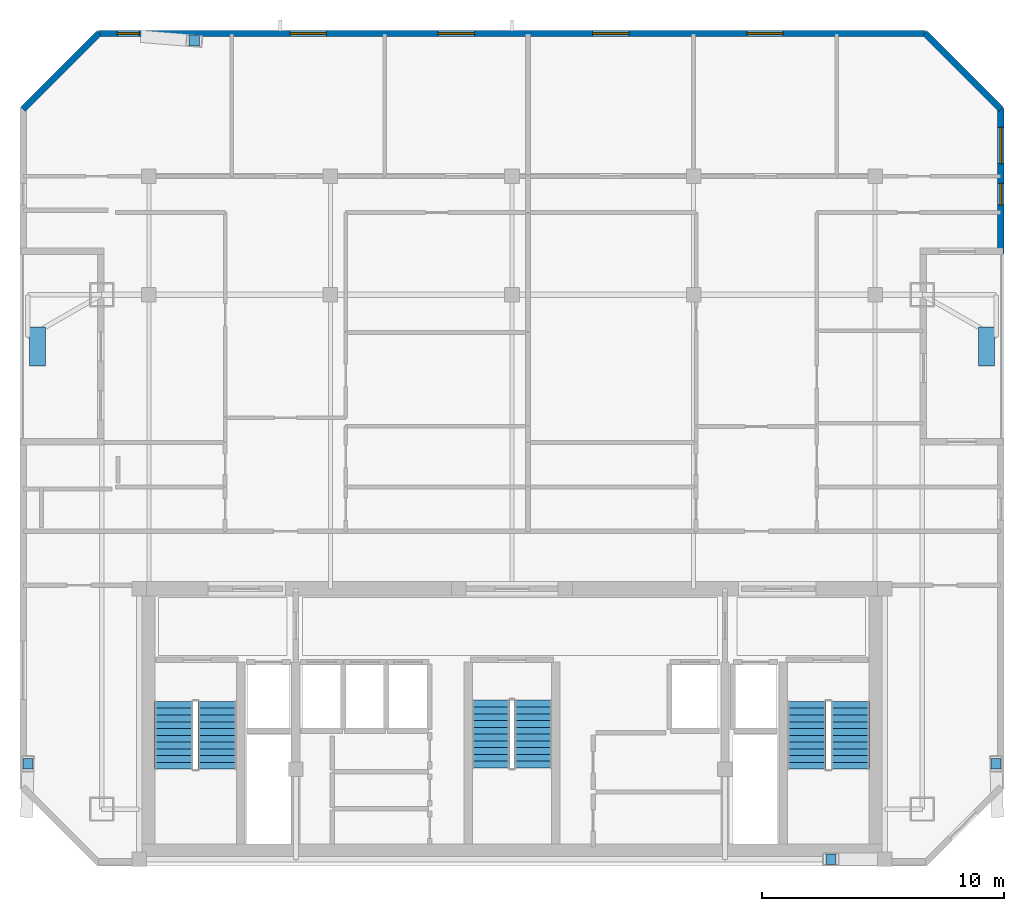
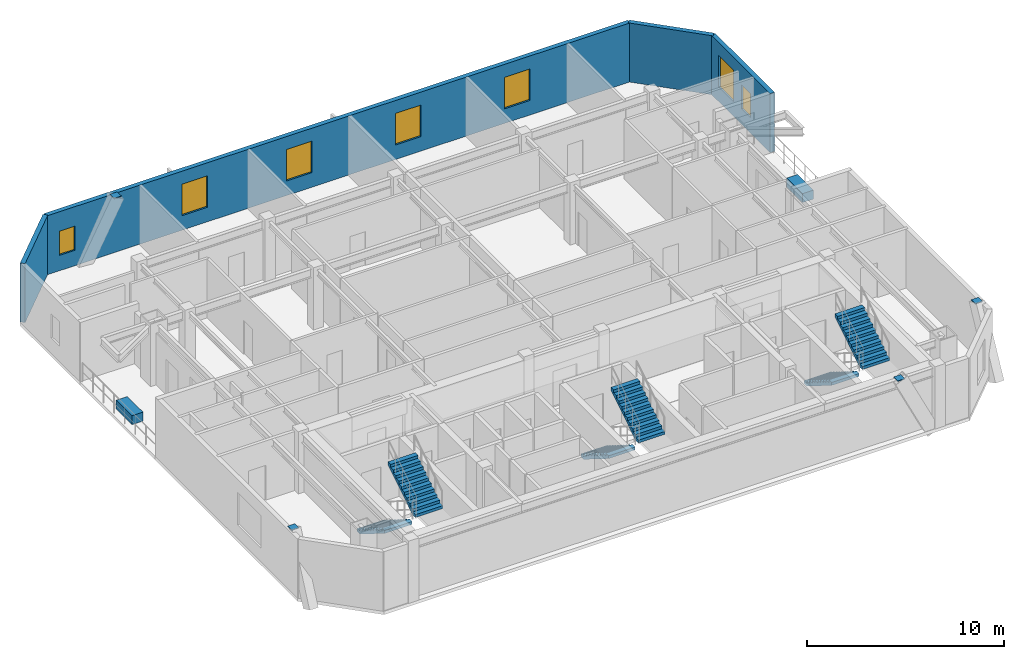
# One storey, part 6 of 8: 7 windows, 6 discrete accessories, 6 stair flights, 4 walls, 7 openings, 3 elements without a shape of their own.
"""IFC4 building model written with IfcOpenShell, lengths in metres."""

from ifc_helpers import new_model, si_unit, direction, frame, frame_2d, origin, origin_2d, place, context, subcontext, project, spatial, polyline, rectangle, outline, extrude, material, layer, layer_set, type_object, element, fill, aggregate, save


model = new_model("IFC4")

# Units and contexts
model_context = context("Model", 3, precision=1e-05, world=origin(), true_north=direction((0.0, 1.0)))
body_context = subcontext(model_context, "Body", "Model", "MODEL_VIEW")
ifc_project = project(units=[si_unit("LENGTHUNIT", "METRE"), si_unit("AREAUNIT", "SQUARE_METRE"), si_unit("VOLUMEUNIT", "CUBIC_METRE"), si_unit("PLANEANGLEUNIT", "RADIAN"), si_unit("MASSUNIT", "GRAM", prefix="KILO")], contexts=[model_context])

# Site, building, storey
site_placement = place(None, origin())
site = spatial("IfcSite", under=ifc_project, at=site_placement, CompositionType="ELEMENT")
building_placement = place(site_placement, origin())
building = spatial("IfcBuilding", under=site, at=building_placement, Name="Ventersveld Concourse Tower", CompositionType="ELEMENT")
storey_placement = place(building_placement, frame((0.0, 0.0, 284.89990234375)))
storey = spatial("IfcBuildingStorey", under=building, at=storey_placement, Name="L70", CompositionType="ELEMENT", Elevation=284.89990234375)

# Wall, openings, windows
ifc_material_1 = material(Name="Precast concrete C45/55", Category="concrete")
ifc_layer = layer(ifc_material_1, 0.260009765625)
ifc_layer_set = layer_set([ifc_layer], Name="Precast concrete C45/55")
wall_type = type_object("IfcWallType", Name="WL-PREC-260", PredefinedType="SOLIDWALL", material=ifc_layer_set)
wall_1_placement = place(storey_placement, frame((48.94580078125, 25.303466796875, 0.0), z_axis=(0.0, 0.0, 1.0), x_axis=(0.0, 1.0, 0.0)))
wall_1 = element("IfcWall", 1, at=wall_1_placement, inside=storey, type_object=wall_type, Name="L70 Highveld Precast Facade Wall E07", PredefinedType="SOLIDWALL", context=body_context, shape_type="SweptSolid", body=[
    extrude(rectangle(XDim=5.9833984375, YDim=0.260009765625, at=frame_2d((2.99169921875, 0.0))), origin(), (0.0, 0.0, 1.0), 3.650146484375),
])
opening_1_placement = place(wall_1_placement, frame((1.99658203125, 0.0, 0.949951171875)))
opening_1 = element("IfcOpeningElement", 2, at=opening_1_placement, cuts=wall_1, Name="Opening W4", PredefinedType="OPENING", context=body_context, shape_type="SweptSolid", body=[
    extrude(rectangle(XDim=0.89990234375, YDim=1.5, at=frame_2d((0.449951171875, 0.75))), frame((0.0, 0.14013671875, 0.0), z_axis=(0.0, -1.0, 0.0), x_axis=(1.0, 0.0, 0.0)), (0.0, 0.0, 1.0), 0.280029296875),
])
opening_2_placement = place(wall_1_placement, frame((3.71337890625, 0.0, 0.89990234375)))
opening_2 = element("IfcOpeningElement", 3, at=opening_2_placement, cuts=wall_1, Name="Opening W1", PredefinedType="OPENING", context=body_context, shape_type="SweptSolid", body=[
    extrude(rectangle(XDim=1.5, YDim=1.949951171875, at=frame_2d((0.75, 0.97509765625))), frame((0.0, 0.14013671875, 0.0), z_axis=(0.0, -1.0, 0.0), x_axis=(1.0, 0.0, 0.0)), (0.0, 0.0, 1.0), 0.280029296875),
])
ifc_material_2 = material(Name="Tempered acoustic Low-E IGU", Category="glass")
window_type_1 = type_object("IfcWindowType", Name="WIN-090x150", PartitioningType="SINGLE_PANEL", PredefinedType="WINDOW", material=ifc_material_2)
window_1_placement = place(opening_1_placement, origin())
window_1 = element("IfcWindow", 4, at=window_1_placement, inside=storey, type_object=window_type_1, Name="L70 Punched Low-E Window W-1002", OverallHeight=1.5, OverallWidth=0.89990234375, PartitioningType="SINGLE_PANEL", PredefinedType="WINDOW", context=body_context, shape_type="SweptSolid", body=[
    extrude(rectangle(XDim=0.89990234375, YDim=1.5, at=frame_2d((0.449951171875, 0.75))), frame((0.0, 0.030029296875, 0.0), z_axis=(0.0, -1.0, 0.0), x_axis=(1.0, 0.0, 0.0)), (0.0, 0.0, 1.0), 0.06005859375),
])
fill(opening_1, window_1)
window_type_2 = type_object("IfcWindowType", Name="WIN-150x210", PartitioningType="SINGLE_PANEL", PredefinedType="WINDOW", material=ifc_material_2)
window_2_placement = place(opening_2_placement, origin())
window_2 = element("IfcWindow", 5, at=window_2_placement, inside=storey, type_object=window_type_2, Name="L70 Punched Low-E Window W-1008", OverallHeight=1.949951171875, OverallWidth=1.5, PartitioningType="SINGLE_PANEL", PredefinedType="WINDOW", context=body_context, shape_type="SweptSolid", body=[
    extrude(rectangle(XDim=1.5, YDim=1.949951171875, at=frame_2d((0.75, 0.97509765625))), frame((0.0, 0.030029296875, 0.0), z_axis=(0.0, -1.0, 0.0), x_axis=(1.0, 0.0, 0.0)), (0.0, 0.0, 1.0), 0.06005859375),
])
fill(opening_2, window_2)

# Wall
wall_2_placement = place(storey_placement, frame((48.95556640625, 31.26318359375, 0.0), z_axis=(0.0, 0.0, 1.0), x_axis=(-0.707079321262, 0.707134240044, 0.0)))
element("IfcWall", 6, at=wall_2_placement, inside=storey, type_object=wall_type, Name="L70 Highveld Precast Facade Wall E08", PredefinedType="SOLIDWALL", context=body_context, shape_type="SweptSolid", body=[
    extrude(rectangle(XDim=4.445556640625, YDim=0.260009765625, at=frame_2d((2.22265625, 0.0))), origin(), (0.0, 0.0, 1.0), 3.650146484375),
])

# Wall, openings, windows
wall_3_placement = place(storey_placement, frame((45.835693359375, 34.39697265625, 0.0), z_axis=(0.0, 0.0, 1.0), x_axis=(-1.0, 0.0, 0.0)))
wall_3 = element("IfcWall", 7, at=wall_3_placement, inside=storey, type_object=wall_type, Name="L70 Highveld Precast Facade Wall E09", PredefinedType="SOLIDWALL", context=body_context, shape_type="SweptSolid", body=[
    extrude(rectangle(XDim=34.17138671875, YDim=0.260009765625, at=frame_2d((17.085693359375, 0.0))), origin(), (0.0, 0.0, 1.0), 3.650146484375),
])
opening_3_placement = place(wall_3_placement, frame((32.49169921875, 0.0, 0.949951171875)))
opening_3 = element("IfcOpeningElement", 8, at=opening_3_placement, cuts=wall_3, Name="Opening W4", PredefinedType="OPENING", context=body_context, shape_type="SweptSolid", body=[
    extrude(rectangle(XDim=0.89990234375, YDim=1.5, at=frame_2d((0.449951171875, 0.75))), frame((0.0, 0.14013671875, 0.0), z_axis=(0.0, -1.0, 0.0), x_axis=(1.0, 0.0, 0.0)), (0.0, 0.0, 1.0), 0.280029296875),
])
opening_4_placement = place(wall_3_placement, frame((24.7529296875, 0.0, 0.89990234375)))
opening_4 = element("IfcOpeningElement", 9, at=opening_4_placement, cuts=wall_3, Name="Opening W1", PredefinedType="OPENING", context=body_context, shape_type="SweptSolid", body=[
    extrude(rectangle(XDim=1.5, YDim=1.949951171875, at=frame_2d((0.75, 0.97509765625))), frame((0.0, 0.14013671875, 0.0), z_axis=(0.0, -1.0, 0.0), x_axis=(1.0, 0.0, 0.0)), (0.0, 0.0, 1.0), 0.280029296875),
])
opening_5_placement = place(wall_3_placement, frame((18.636962890625, 0.0, 0.89990234375)))
opening_5 = element("IfcOpeningElement", 10, at=opening_5_placement, cuts=wall_3, Name="Opening W1", PredefinedType="OPENING", context=body_context, shape_type="SweptSolid", body=[
    extrude(rectangle(XDim=1.5, YDim=1.949951171875, at=frame_2d((0.75, 0.97509765625))), frame((0.0, 0.14013671875, 0.0), z_axis=(0.0, -1.0, 0.0), x_axis=(1.0, 0.0, 0.0)), (0.0, 0.0, 1.0), 0.280029296875),
])
opening_6_placement = place(wall_3_placement, frame((12.258544921875, 0.0, 0.89990234375)))
opening_6 = element("IfcOpeningElement", 11, at=opening_6_placement, cuts=wall_3, Name="Opening W1", PredefinedType="OPENING", context=body_context, shape_type="SweptSolid", body=[
    extrude(rectangle(XDim=1.5, YDim=1.949951171875, at=frame_2d((0.75, 0.97509765625))), frame((0.0, 0.14013671875, 0.0), z_axis=(0.0, -1.0, 0.0), x_axis=(1.0, 0.0, 0.0)), (0.0, 0.0, 1.0), 0.280029296875),
])
opening_7_placement = place(wall_3_placement, frame((5.8798828125, 0.0, 0.89990234375)))
opening_7 = element("IfcOpeningElement", 12, at=opening_7_placement, cuts=wall_3, Name="Opening W1", PredefinedType="OPENING", context=body_context, shape_type="SweptSolid", body=[
    extrude(rectangle(XDim=1.5, YDim=1.949951171875, at=frame_2d((0.75, 0.97509765625))), frame((0.0, 0.14013671875, 0.0), z_axis=(0.0, -1.0, 0.0), x_axis=(1.0, 0.0, 0.0)), (0.0, 0.0, 1.0), 0.280029296875),
])
window_3_placement = place(opening_3_placement, origin())
window_3 = element("IfcWindow", 13, at=window_3_placement, inside=storey, type_object=window_type_1, Name="L70 Punched Low-E Window W-0999", OverallHeight=1.5, OverallWidth=0.89990234375, PartitioningType="SINGLE_PANEL", PredefinedType="WINDOW", context=body_context, shape_type="SweptSolid", body=[
    extrude(rectangle(XDim=0.89990234375, YDim=1.5, at=frame_2d((0.449951171875, 0.75))), frame((0.0, 0.030029296875, 0.0), z_axis=(0.0, -1.0, 0.0), x_axis=(1.0, 0.0, 0.0)), (0.0, 0.0, 1.0), 0.06005859375),
])
fill(opening_3, window_3)
window_4_placement = place(opening_4_placement, origin())
window_4 = element("IfcWindow", 14, at=window_4_placement, inside=storey, type_object=window_type_2, Name="L70 Punched Low-E Window W-1000", OverallHeight=1.949951171875, OverallWidth=1.5, PartitioningType="SINGLE_PANEL", PredefinedType="WINDOW", context=body_context, shape_type="SweptSolid", body=[
    extrude(rectangle(XDim=1.5, YDim=1.949951171875, at=frame_2d((0.75, 0.97509765625))), frame((0.0, 0.030029296875, 0.0), z_axis=(0.0, -1.0, 0.0), x_axis=(1.0, 0.0, 0.0)), (0.0, 0.0, 1.0), 0.06005859375),
])
fill(opening_4, window_4)
window_5_placement = place(opening_5_placement, origin())
window_5 = element("IfcWindow", 15, at=window_5_placement, inside=storey, type_object=window_type_2, Name="L70 Punched Low-E Window W-1001", OverallHeight=1.949951171875, OverallWidth=1.5, PartitioningType="SINGLE_PANEL", PredefinedType="WINDOW", context=body_context, shape_type="SweptSolid", body=[
    extrude(rectangle(XDim=1.5, YDim=1.949951171875, at=frame_2d((0.75, 0.97509765625))), frame((0.0, 0.030029296875, 0.0), z_axis=(0.0, -1.0, 0.0), x_axis=(1.0, 0.0, 0.0)), (0.0, 0.0, 1.0), 0.06005859375),
])
fill(opening_5, window_5)
window_6_placement = place(opening_6_placement, origin())
window_6 = element("IfcWindow", 16, at=window_6_placement, inside=storey, type_object=window_type_2, Name="L70 Punched Low-E Window W-1006", OverallHeight=1.949951171875, OverallWidth=1.5, PartitioningType="SINGLE_PANEL", PredefinedType="WINDOW", context=body_context, shape_type="SweptSolid", body=[
    extrude(rectangle(XDim=1.5, YDim=1.949951171875, at=frame_2d((0.75, 0.97509765625))), frame((0.0, 0.030029296875, 0.0), z_axis=(0.0, -1.0, 0.0), x_axis=(1.0, 0.0, 0.0)), (0.0, 0.0, 1.0), 0.06005859375),
])
fill(opening_6, window_6)
window_7_placement = place(opening_7_placement, origin())
window_7 = element("IfcWindow", 17, at=window_7_placement, inside=storey, type_object=window_type_2, Name="L70 Punched Low-E Window W-1007", OverallHeight=1.949951171875, OverallWidth=1.5, PartitioningType="SINGLE_PANEL", PredefinedType="WINDOW", context=body_context, shape_type="SweptSolid", body=[
    extrude(rectangle(XDim=1.5, YDim=1.949951171875, at=frame_2d((0.75, 0.97509765625))), frame((0.0, 0.030029296875, 0.0), z_axis=(0.0, -1.0, 0.0), x_axis=(1.0, 0.0, 0.0)), (0.0, 0.0, 1.0), 0.06005859375),
])
fill(opening_7, window_7)

# Wall
wall_4_placement = place(storey_placement, frame((11.687744140625, 34.40673828125, 0.0), z_axis=(0.0, 0.0, 1.0), x_axis=(-0.707079321262, -0.707134240044, 0.0)))
element("IfcWall", 18, at=wall_4_placement, inside=storey, type_object=wall_type, Name="L70 Highveld Precast Facade Wall E10", PredefinedType="SOLIDWALL", context=body_context, shape_type="SweptSolid", body=[
    extrude(rectangle(XDim=4.445556640625, YDim=0.260009765625, at=frame_2d((2.22265625, 0.0))), origin(), (0.0, 0.0, 1.0), 3.650146484375),
])

# Stair, stair flights
ifc_material_3 = material(Name="Concrete C50/60", Category="concrete")
stair_type_1 = type_object("IfcStairType", Name="ST-DOG-155", PredefinedType="HALF_TURN_STAIR", material=ifc_material_3)
stair_1_placement = place(storey_placement, origin())
stair_1 = element("IfcStair", 19, at=stair_1_placement, inside=storey, type_object=stair_type_1, Name="L70 Protected Central Core Escape Stair ST-03", PredefinedType="HALF_TURN_STAIR")
stair_flight_type_1 = type_object("IfcStairFlightType", Name="STF-RC-155", PredefinedType="STRAIGHT", material=ifc_material_3)
stair_flight_1_placement = place(storey_placement, frame((27.875, 6.85009765625, 0.0), z_axis=(0.0, 0.0, 1.0), x_axis=(0.0, -1.0, 0.0)))
stair_flight_1 = element("IfcStairFlight", 20, at=stair_flight_1_placement, type_object=stair_flight_type_1, Name="ST-03 flight 1", NumberOfRisers=11, NumberOfTreads=10, PredefinedType="STRAIGHT", RiserHeight=0.175, TreadLength=0.28, context=body_context, shape_type="SweptSolid", body=[
    extrude(outline(polyline([(0.0, 0.0), (0.0, 0.175048828125), (0.280029296875, 0.175048828125), (0.280029296875, 0.35009765625), (0.56005859375, 0.35009765625), (0.56005859375, 0.52490234375), (0.840087890625, 0.52490234375), (0.840087890625, 0.699951171875), (1.1201171875, 0.699951171875), (1.1201171875, 0.875), (1.39990234375, 0.875), (1.39990234375, 1.050048828125), (1.679931640625, 1.050048828125), (1.679931640625, 1.22509765625), (1.9599609375, 1.22509765625), (1.9599609375, 1.39990234375), (2.239990234375, 1.39990234375), (2.239990234375, 1.574951171875), (2.52001953125, 1.574951171875), (2.52001953125, 1.75), (2.800048828125, 1.75), (2.800048828125, 1.925048828125), (2.800048828125, 1.5732421875), (0.28271484375, 0.0), (0.0, 0.0)])), frame((0.0, 0.77490234375, 0.0), z_axis=(0.0, -1.0, 0.0), x_axis=(1.0, 0.0, 0.0)), (0.0, 0.0, 1.0), 1.550048828125),
])
stair_flight_2_placement = place(storey_placement, frame((29.625, 4.050048828125, 1.925048828125), z_axis=(0.0, 0.0, 1.0), x_axis=(0.0, 1.0, 0.0)))
stair_flight_2 = element("IfcStairFlight", 21, at=stair_flight_2_placement, type_object=stair_flight_type_1, Name="ST-03 flight 2", NumberOfRisers=11, NumberOfTreads=10, PredefinedType="STRAIGHT", RiserHeight=0.175, TreadLength=0.28, context=body_context, shape_type="SweptSolid", body=[
    extrude(outline(polyline([(0.0, 0.0), (0.0, 0.175048828125), (0.280029296875, 0.175048828125), (0.280029296875, 0.35009765625), (0.56005859375, 0.35009765625), (0.56005859375, 0.52490234375), (0.840087890625, 0.52490234375), (0.840087890625, 0.699951171875), (1.1201171875, 0.699951171875), (1.1201171875, 0.875), (1.39990234375, 0.875), (1.39990234375, 1.050048828125), (1.679931640625, 1.050048828125), (1.679931640625, 1.22509765625), (1.9599609375, 1.22509765625), (1.9599609375, 1.39990234375), (2.239990234375, 1.39990234375), (2.239990234375, 1.574951171875), (2.52001953125, 1.574951171875), (2.52001953125, 1.75), (2.800048828125, 1.75), (2.800048828125, 1.925048828125), (2.800048828125, 1.5732421875), (0.28271484375, 0.0), (0.0, 0.0)])), frame((0.0, 0.77490234375, 0.0), z_axis=(0.0, -1.0, 0.0), x_axis=(1.0, 0.0, 0.0)), (0.0, 0.0, 1.0), 1.550048828125),
])
aggregate(stair_1, [stair_flight_1, stair_flight_2])

stair_type_2 = type_object("IfcStairType", Name="ST-DOG-160", PredefinedType="HALF_TURN_STAIR", material=ifc_material_3)
stair_2_placement = place(storey_placement, origin())
stair_2 = element("IfcStair", 22, at=stair_2_placement, inside=storey, type_object=stair_type_2, Name="L70 Protected Tower Escape Stair ST-01", PredefinedType="HALF_TURN_STAIR")
stair_flight_type_2 = type_object("IfcStairFlightType", Name="STF-RC-160", PredefinedType="STRAIGHT", material=ifc_material_3)
stair_flight_3_placement = place(storey_placement, frame((14.780029296875, 6.800048828125, 0.0), z_axis=(0.0, 0.0, 1.0), x_axis=(0.0, -1.0, 0.0)))
stair_flight_3 = element("IfcStairFlight", 23, at=stair_flight_3_placement, type_object=stair_flight_type_2, Name="ST-01 flight 1", NumberOfRisers=11, NumberOfTreads=10, PredefinedType="STRAIGHT", RiserHeight=0.175, TreadLength=0.28, context=body_context, shape_type="SweptSolid", body=[
    extrude(outline(polyline([(0.0, 0.0), (0.0, 0.175048828125), (0.280029296875, 0.175048828125), (0.280029296875, 0.35009765625), (0.56005859375, 0.35009765625), (0.56005859375, 0.52490234375), (0.840087890625, 0.52490234375), (0.840087890625, 0.699951171875), (1.1201171875, 0.699951171875), (1.1201171875, 0.875), (1.39990234375, 0.875), (1.39990234375, 1.050048828125), (1.679931640625, 1.050048828125), (1.679931640625, 1.22509765625), (1.9599609375, 1.22509765625), (1.9599609375, 1.39990234375), (2.239990234375, 1.39990234375), (2.239990234375, 1.574951171875), (2.52001953125, 1.574951171875), (2.52001953125, 1.75), (2.800048828125, 1.75), (2.800048828125, 1.925048828125), (2.800048828125, 1.5732421875), (0.28271484375, 0.0), (0.0, 0.0)])), frame((0.0, 0.800048828125, 0.0), z_axis=(0.0, -1.0, 0.0), x_axis=(1.0, 0.0, 0.0)), (0.0, 0.0, 1.0), 1.60009765625),
])
stair_flight_4_placement = place(storey_placement, frame((16.580078125, 4.0, 1.925048828125), z_axis=(0.0, 0.0, 1.0), x_axis=(0.0, 1.0, 0.0)))
stair_flight_4 = element("IfcStairFlight", 24, at=stair_flight_4_placement, type_object=stair_flight_type_2, Name="ST-01 flight 2", NumberOfRisers=11, NumberOfTreads=10, PredefinedType="STRAIGHT", RiserHeight=0.175, TreadLength=0.28, context=body_context, shape_type="SweptSolid", body=[
    extrude(outline(polyline([(0.0, 0.0), (0.0, 0.175048828125), (0.280029296875, 0.175048828125), (0.280029296875, 0.35009765625), (0.56005859375, 0.35009765625), (0.56005859375, 0.52490234375), (0.840087890625, 0.52490234375), (0.840087890625, 0.699951171875), (1.1201171875, 0.699951171875), (1.1201171875, 0.875), (1.39990234375, 0.875), (1.39990234375, 1.050048828125), (1.679931640625, 1.050048828125), (1.679931640625, 1.22509765625), (1.9599609375, 1.22509765625), (1.9599609375, 1.39990234375), (2.239990234375, 1.39990234375), (2.239990234375, 1.574951171875), (2.52001953125, 1.574951171875), (2.52001953125, 1.75), (2.800048828125, 1.75), (2.800048828125, 1.925048828125), (2.800048828125, 1.5732421875), (0.28271484375, 0.0), (0.0, 0.0)])), frame((0.0, 0.800048828125, 0.0), z_axis=(0.0, -1.0, 0.0), x_axis=(1.0, 0.0, 0.0)), (0.0, 0.0, 1.0), 1.60009765625),
])
aggregate(stair_2, [stair_flight_3, stair_flight_4])

stair_3_placement = place(storey_placement, origin())
stair_3 = element("IfcStair", 25, at=stair_3_placement, inside=storey, type_object=stair_type_2, Name="L70 Protected Tower Escape Stair ST-02", PredefinedType="HALF_TURN_STAIR")
stair_flight_5_placement = place(storey_placement, frame((40.919921875, 6.800048828125, 0.0), z_axis=(0.0, 0.0, 1.0), x_axis=(0.0, -1.0, 0.0)))
stair_flight_5 = element("IfcStairFlight", 26, at=stair_flight_5_placement, type_object=stair_flight_type_2, Name="ST-02 flight 1", NumberOfRisers=11, NumberOfTreads=10, PredefinedType="STRAIGHT", RiserHeight=0.175, TreadLength=0.28, context=body_context, shape_type="SweptSolid", body=[
    extrude(outline(polyline([(0.0, 0.0), (0.0, 0.175048828125), (0.280029296875, 0.175048828125), (0.280029296875, 0.35009765625), (0.56005859375, 0.35009765625), (0.56005859375, 0.52490234375), (0.840087890625, 0.52490234375), (0.840087890625, 0.699951171875), (1.1201171875, 0.699951171875), (1.1201171875, 0.875), (1.39990234375, 0.875), (1.39990234375, 1.050048828125), (1.679931640625, 1.050048828125), (1.679931640625, 1.22509765625), (1.9599609375, 1.22509765625), (1.9599609375, 1.39990234375), (2.239990234375, 1.39990234375), (2.239990234375, 1.574951171875), (2.52001953125, 1.574951171875), (2.52001953125, 1.75), (2.800048828125, 1.75), (2.800048828125, 1.925048828125), (2.800048828125, 1.5732421875), (0.28271484375, 0.0), (0.0, 0.0)])), frame((0.0, 0.800048828125, 0.0), z_axis=(0.0, -1.0, 0.0), x_axis=(1.0, 0.0, 0.0)), (0.0, 0.0, 1.0), 1.60009765625),
])
stair_flight_6_placement = place(storey_placement, frame((42.719970703125, 4.0, 1.925048828125), z_axis=(0.0, 0.0, 1.0), x_axis=(0.0, 1.0, 0.0)))
stair_flight_6 = element("IfcStairFlight", 27, at=stair_flight_6_placement, type_object=stair_flight_type_2, Name="ST-02 flight 2", NumberOfRisers=11, NumberOfTreads=10, PredefinedType="STRAIGHT", RiserHeight=0.175, TreadLength=0.28, context=body_context, shape_type="SweptSolid", body=[
    extrude(outline(polyline([(0.0, 0.0), (0.0, 0.175048828125), (0.280029296875, 0.175048828125), (0.280029296875, 0.35009765625), (0.56005859375, 0.35009765625), (0.56005859375, 0.52490234375), (0.840087890625, 0.52490234375), (0.840087890625, 0.699951171875), (1.1201171875, 0.699951171875), (1.1201171875, 0.875), (1.39990234375, 0.875), (1.39990234375, 1.050048828125), (1.679931640625, 1.050048828125), (1.679931640625, 1.22509765625), (1.9599609375, 1.22509765625), (1.9599609375, 1.39990234375), (2.239990234375, 1.39990234375), (2.239990234375, 1.574951171875), (2.52001953125, 1.574951171875), (2.52001953125, 1.75), (2.800048828125, 1.75), (2.800048828125, 1.925048828125), (2.800048828125, 1.5732421875), (0.28271484375, 0.0), (0.0, 0.0)])), frame((0.0, 0.800048828125, 0.0), z_axis=(0.0, -1.0, 0.0), x_axis=(1.0, 0.0, 0.0)), (0.0, 0.0, 1.0), 1.60009765625),
])
aggregate(stair_3, [stair_flight_5, stair_flight_6])

# Discrete accessories
ifc_material_4 = material(Name="Structural steel S355J2", Category="steel")
discrete_accessory_type_1 = type_object("IfcDiscreteAccessoryType", Name="CONN-BRACE-ECP1", PredefinedType="BRACKET", material=ifc_material_4)
for number, where, z_axis, x_axis, name in (
    (28, (15.625, 34.0927734375, 3.630126953125), (0.0, 0.0, 1.0), (1.0, 0.0, 0.0), "L70 Steel Brace End Connection Plate ECP1-0468"),
    (29, (41.925048828125, 0.280029296875, 3.630126953125), (0.0, 0.0, 1.0), (1.0, 0.0, 0.0), "L70 Steel Brace End Connection Plate ECP1-0472"),
    (30, (8.757568359375, 4.22509765625, 3.630126953125), (0.0, 0.0, 1.0), (1.0, 0.0, 0.0), "L70 Steel Brace End Connection Plate ECP1-0476"),
    (31, (48.742431640625, 4.22509765625, 3.630126953125), (0.0, 0.0, 1.0), (1.0, 0.0, 0.0), "L70 Steel Brace End Connection Plate ECP1-0480"),
):
    element("IfcDiscreteAccessory", number, at=place(storey_placement, frame(where, z_axis=z_axis, x_axis=x_axis)), inside=storey, type_object=discrete_accessory_type_1, Name=name, PredefinedType="BRACKET", context=body_context, shape_type="SweptSolid", body=[
        extrude(rectangle(XDim=0.419921875, YDim=0.419921875, at=origin_2d()), origin(), (0.0, 0.0, 1.0), 0.0400390625),
    ])
discrete_accessory_type_2 = type_object("IfcDiscreteAccessoryType", Name="PLN-TERR-180", PredefinedType="USERDEFINED", material=ifc_material_1)
for number, where, z_axis, x_axis, name in (
    (32, (9.144287109375, 21.46337890625, 0.0), (0.0, 0.0, 1.0), (0.0, 1.0, 0.0), "L70 Planted Precast Terrace Planter Box NOTCH-W"),
    (33, (48.355712890625, 21.46337890625, 0.0), (0.0, 0.0, 1.0), (0.0, 1.0, 0.0), "L70 Planted Precast Terrace Planter Box NOTCH-E"),
):
    element("IfcDiscreteAccessory", number, at=place(storey_placement, frame(where, z_axis=z_axis, x_axis=x_axis)), inside=storey, type_object=discrete_accessory_type_2, Name=name, ObjectType="PLANTER", PredefinedType="USERDEFINED", context=body_context, shape_type="SweptSolid", body=[
        extrude(rectangle(XDim=1.60009765625, YDim=0.64990234375, at=origin_2d()), origin(), (0.0, 0.0, 1.0), 0.550048828125),
    ])

save(model, "model.ifc")
